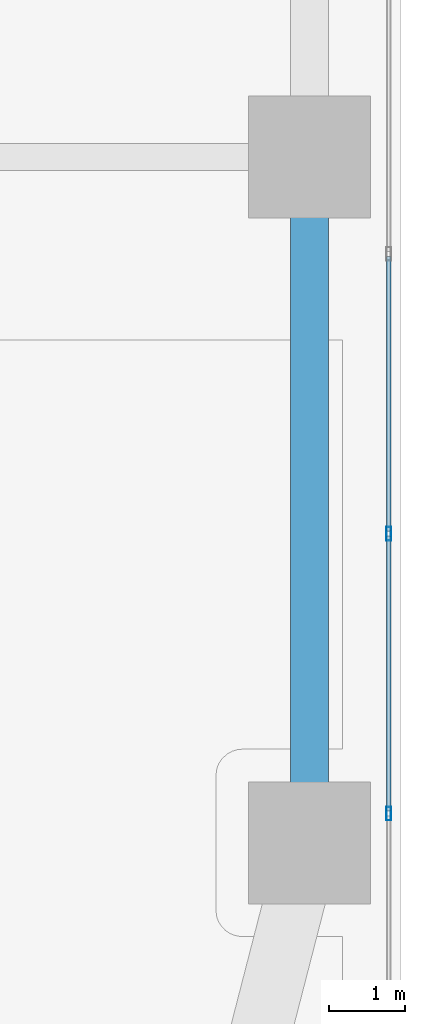
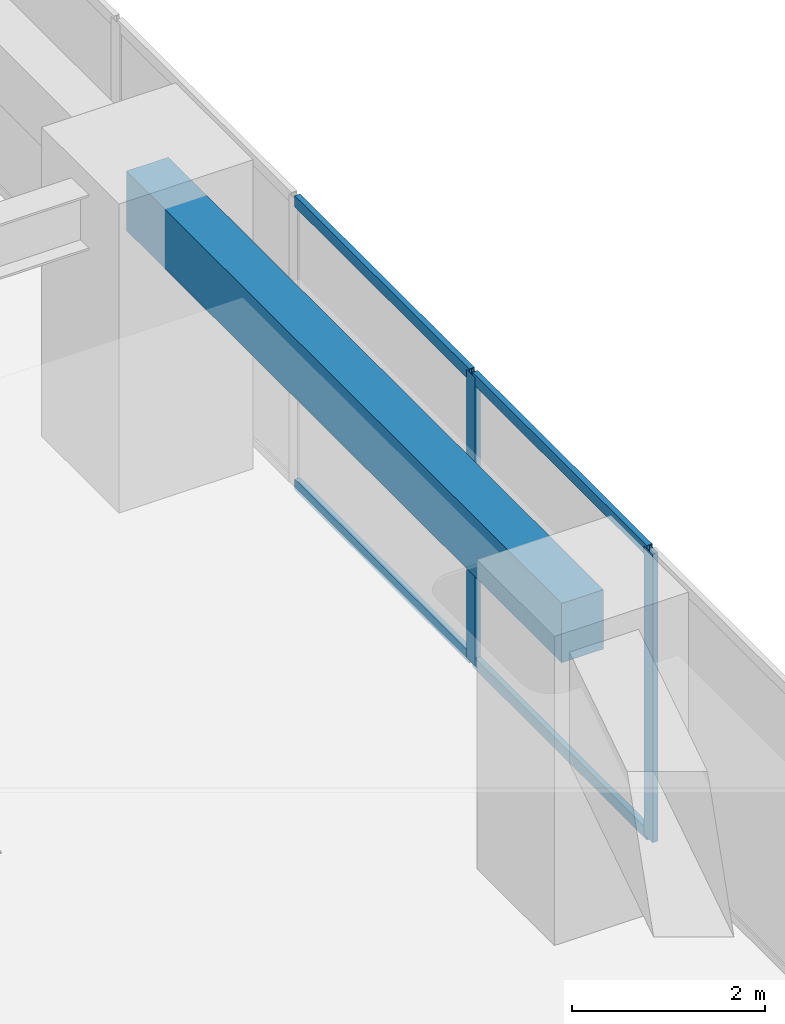
# One storey, part 6 of 29: 6 members, 1 beam, 1 element without a shape of its own.
"""IFC4 building model written with IfcOpenShell, lengths in metres."""

from ifc_helpers import new_model, si_unit, direction, frame, origin, origin_2d, place, context, subcontext, project, spatial, rectangle, hollow_rectangle, extrude, material, layer, layer_set, material_profile, profile_set, type_object, element, aggregate, save


model = new_model("IFC4")

# Units and contexts
model_context = context("Model", 3, precision=1e-05, world=origin(), true_north=direction((0.0, 1.0)))
body_context = subcontext(model_context, "Body", "Model", "MODEL_VIEW")
ifc_project = project(units=[si_unit("LENGTHUNIT", "METRE"), si_unit("AREAUNIT", "SQUARE_METRE"), si_unit("VOLUMEUNIT", "CUBIC_METRE"), si_unit("PLANEANGLEUNIT", "RADIAN"), si_unit("MASSUNIT", "GRAM", prefix="KILO")], contexts=[model_context])

# Site, building, storey
site_placement = place(None, origin())
site = spatial("IfcSite", under=ifc_project, at=site_placement, CompositionType="ELEMENT")
building_placement = place(site_placement, origin())
building = spatial("IfcBuilding", under=site, at=building_placement, Name="Kiyonajd Concourse Tower", CompositionType="ELEMENT")
storey_placement = place(building_placement, frame((0.0, 0.0, 29.39990234375)))
storey = spatial("IfcBuildingStorey", under=building, at=storey_placement, Name="L08", CompositionType="ELEMENT", Elevation=29.39990234375)

# Beam
ifc_material_1 = material(Name="Precast concrete C50/60", Category="concrete")
ifc_material_profile_1 = material_profile(ifc_material_1, rectangle(XDim=0.5, YDim=0.75, at=origin_2d()), Name="RCBM-500x750")
ifc_profile_set_1 = profile_set([ifc_material_profile_1], Name="Precast concrete C50/60")
beam_type = type_object("IfcBeamType", Name="BM-SPAN-RC", PredefinedType="SPANDREL", material=ifc_profile_set_1)
beam_placement = place(storey_placement, frame((78.0, 18.60009765625, 3.26513671875), z_axis=(0.0, 1.0, 0.0), x_axis=(-1.0, 0.0, 0.0)))
element("IfcBeam", 1, at=beam_placement, inside=storey, type_object=beam_type, Name="L08 Perimeter Bundled Tube Spandrel", PredefinedType="SPANDREL", context=body_context, shape_type="SweptSolid", body=[
    extrude(rectangle(XDim=0.5, YDim=0.75, at=origin_2d()), origin(), (0.0, 0.0, 1.0), 9.0),
])

# Curtain wall, members
ifc_material_2 = material(Name="Thermally Broken Anodised Aluminium", Category="aluminium")
ifc_layer = layer(ifc_material_2, 0.179931640625)
ifc_layer_set = layer_set([ifc_layer], Name="Thermally Broken Anodised Aluminium")
curtain_wall_type = type_object("IfcCurtainWallType", Name="CW-SYS-02", PredefinedType="NOTDEFINED", material=ifc_layer_set)
curtain_wall_placement = place(storey_placement, origin())
curtain_wall = element("IfcCurtainWall", 2, at=curtain_wall_placement, inside=storey, type_object=curtain_wall_type, Name="L08 Unitised Curtain Wall CW2", PredefinedType="NOTDEFINED")
ifc_material_profile_2 = material_profile(ifc_material_2, hollow_rectangle(XDim=0.06494140625, YDim=0.179931640625, WallThickness=0.00390625, at=origin_2d()), Name="MULL-65x180")
ifc_profile_set_2 = profile_set([ifc_material_profile_2], Name="Thermally Broken Anodised Aluminium")
member_type_1 = type_object("IfcMemberType", Name="MB-CW-MULL1", PredefinedType="MULLION", material=ifc_profile_set_2)
member_1_placement = place(storey_placement, frame((79.0400390625, 22.657470703125, 0.0), z_axis=(0.0, 0.0, 1.0), x_axis=(1.0, 0.0, 0.0)))
member_1 = element("IfcMember", 3, at=member_1_placement, type_object=member_type_1, Name="CW2 mullion 5", PredefinedType="MULLION", context=body_context, shape_type="SweptSolid", body=[
    extrude(hollow_rectangle(XDim=0.06494140625, YDim=0.179931640625, WallThickness=0.00390625, at=origin_2d()), origin(), (0.0, 0.0, 1.0), 3.64013671875),
])
member_2_placement = place(storey_placement, frame((79.0400390625, 18.984130859375, 0.0), z_axis=(0.0, 0.0, 1.0), x_axis=(1.0, 0.0, 0.0)))
member_2 = element("IfcMember", 4, at=member_2_placement, type_object=member_type_1, Name="CW2 mullion 6", PredefinedType="MULLION", context=body_context, shape_type="SweptSolid", body=[
    extrude(hollow_rectangle(XDim=0.06494140625, YDim=0.179931640625, WallThickness=0.00390625, at=origin_2d()), origin(), (0.0, 0.0, 1.0), 3.64013671875),
])
ifc_material_profile_3 = material_profile(ifc_material_2, hollow_rectangle(XDim=0.06494140625, YDim=0.139892578125, WallThickness=0.00390625, at=origin_2d()), Name="TRAN-65x140")
ifc_profile_set_3 = profile_set([ifc_material_profile_3], Name="Thermally Broken Anodised Aluminium")
member_type_2 = type_object("IfcMemberType", Name="MB-CW-TRAN1", PredefinedType="USERDEFINED", material=ifc_profile_set_3)
member_3_placement = place(storey_placement, frame((79.0400390625, 26.298095703125, 0.03271484375), z_axis=(0.0, -1.0, 0.0), x_axis=(1.0, 0.0, 0.0)))
member_3 = element("IfcMember", 5, at=member_3_placement, type_object=member_type_2, Name="CW2 transom 4.1", ObjectType="TRANSOM", PredefinedType="USERDEFINED", context=body_context, shape_type="SweptSolid", body=[
    extrude(hollow_rectangle(XDim=0.06494140625, YDim=0.139892578125, WallThickness=0.00390625, at=origin_2d()), origin(), (0.0, 0.0, 1.0), 3.608154296875),
])
member_4_placement = place(storey_placement, frame((79.0400390625, 26.298095703125, 3.607666015625), z_axis=(0.0, -1.0, 0.0), x_axis=(1.0, 0.0, 0.0)))
member_4 = element("IfcMember", 6, at=member_4_placement, type_object=member_type_2, Name="CW2 transom 4.2", ObjectType="TRANSOM", PredefinedType="USERDEFINED", context=body_context, shape_type="SweptSolid", body=[
    extrude(hollow_rectangle(XDim=0.06494140625, YDim=0.139892578125, WallThickness=0.00390625, at=origin_2d()), origin(), (0.0, 0.0, 1.0), 3.608154296875),
])
member_5_placement = place(storey_placement, frame((79.0400390625, 22.625, 0.03271484375), z_axis=(0.0, -1.0, 0.0), x_axis=(1.0, 0.0, 0.0)))
member_5 = element("IfcMember", 7, at=member_5_placement, type_object=member_type_2, Name="CW2 transom 5.1", ObjectType="TRANSOM", PredefinedType="USERDEFINED", context=body_context, shape_type="SweptSolid", body=[
    extrude(hollow_rectangle(XDim=0.06494140625, YDim=0.139892578125, WallThickness=0.00390625, at=origin_2d()), origin(), (0.0, 0.0, 1.0), 3.608154296875),
])
member_6_placement = place(storey_placement, frame((79.0400390625, 22.625, 3.607666015625), z_axis=(0.0, -1.0, 0.0), x_axis=(1.0, 0.0, 0.0)))
member_6 = element("IfcMember", 8, at=member_6_placement, type_object=member_type_2, Name="CW2 transom 5.2", ObjectType="TRANSOM", PredefinedType="USERDEFINED", context=body_context, shape_type="SweptSolid", body=[
    extrude(hollow_rectangle(XDim=0.06494140625, YDim=0.139892578125, WallThickness=0.00390625, at=origin_2d()), origin(), (0.0, 0.0, 1.0), 3.608154296875),
])
aggregate(curtain_wall, [member_1, member_2, member_3, member_4, member_5, member_6])

save(model, "model.ifc")
